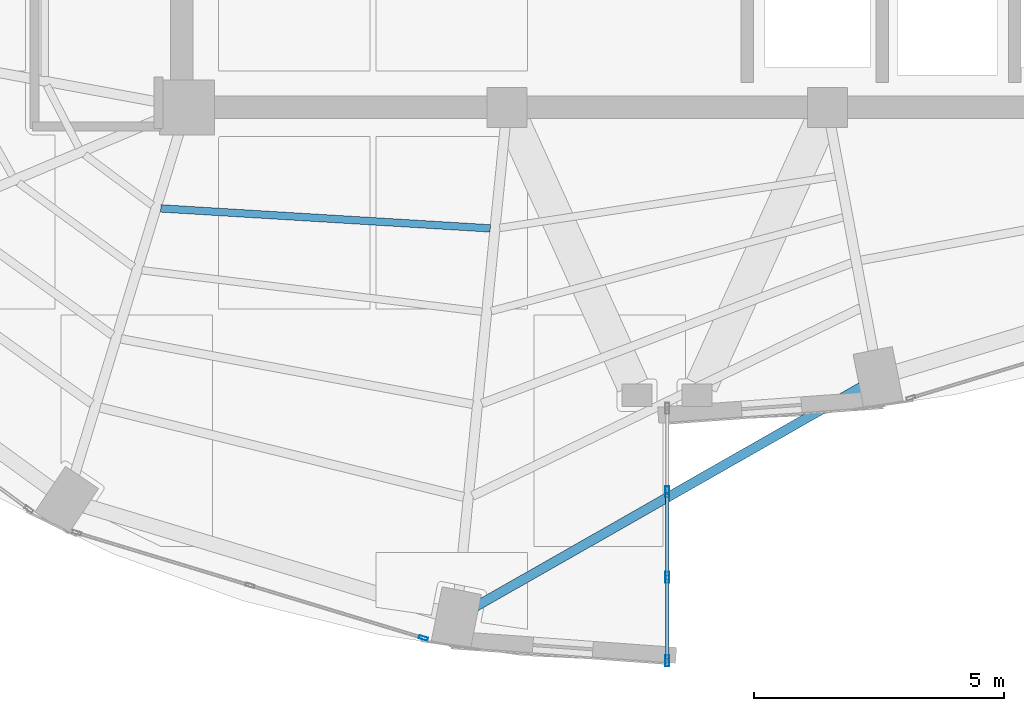
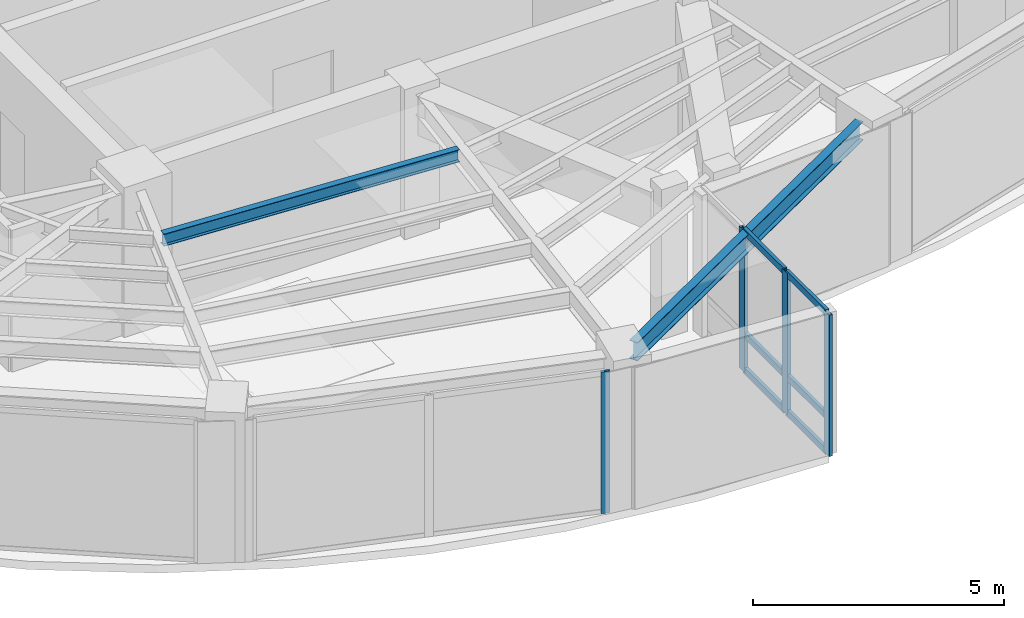
# One storey, part 5 of 22: 10 members, 2 beams, 2 elements without a shape of their own.
"""IFC4 building model written with IfcOpenShell, lengths in metres."""

from ifc_helpers import new_model, si_unit, direction, frame, origin, origin_2d, place, context, subcontext, project, spatial, hollow_rectangle, i_section, extrude, material, layer, layer_set, material_profile, profile_set, type_object, element, aggregate, save


model = new_model("IFC4")

# Units and contexts
model_context = context("Model", 3, precision=1e-05, world=origin(), true_north=direction((0.0, 1.0)))
body_context = subcontext(model_context, "Body", "Model", "MODEL_VIEW")
ifc_project = project(units=[si_unit("LENGTHUNIT", "METRE"), si_unit("AREAUNIT", "SQUARE_METRE"), si_unit("VOLUMEUNIT", "CUBIC_METRE"), si_unit("PLANEANGLEUNIT", "RADIAN"), si_unit("MASSUNIT", "GRAM", prefix="KILO")], contexts=[model_context])

# Site, building, storey
site_placement = place(None, origin())
site = spatial("IfcSite", under=ifc_project, at=site_placement, CompositionType="ELEMENT")
building_placement = place(site_placement, origin())
building = spatial("IfcBuilding", under=site, at=building_placement, Name="Lazwardi Medical Tower", CompositionType="ELEMENT")
storey_placement = place(building_placement, frame((0.0, 0.0, 251.3759765625)))
storey = spatial("IfcBuildingStorey", under=building, at=storey_placement, Name="L65", CompositionType="ELEMENT", Elevation=251.3759765625)

# Beams
ifc_material_1 = material(Name="Steel S355", Category="steel")
ifc_material_profile_1 = material_profile(ifc_material_1, i_section(OverallWidth=0.14990234375, OverallDepth=0.300048828125, WebThickness=0.007080078125, FlangeThickness=0.0107421875, at=origin_2d()), Name="IPE 300")
ifc_profile_set_1 = profile_set([ifc_material_profile_1], Name="Steel S355")
beam_type_1 = type_object("IfcBeamType", Name="BM-SJ-03", PredefinedType="JOIST", material=ifc_profile_set_1)
beam_1_placement = place(storey_placement, frame((25.879150390625, 18.3798828125, 3.298095703125), z_axis=(0.998165515862, -0.060544223044, 0.0), x_axis=(0.060544223044, 0.998165515862, 0.0)))
element("IfcBeam", 1, at=beam_1_placement, inside=storey, type_object=beam_type_1, Name="Secondary joist SJ-03 R4 B15 L65", PredefinedType="JOIST", context=body_context, shape_type="SweptSolid", body=[
    extrude(i_section(OverallWidth=0.14990234375, OverallDepth=0.300048828125, WebThickness=0.007080078125, FlangeThickness=0.0107421875, at=origin_2d()), origin(), (0.0, 0.0, 1.0), 6.59716796875),
])
ifc_material_profile_2 = material_profile(ifc_material_1, i_section(OverallWidth=0.18994140625, OverallDepth=0.449951171875, WebThickness=0.009521484375, FlangeThickness=0.0146484375, at=origin_2d()), Name="IPE 450")
ifc_profile_set_2 = profile_set([ifc_material_profile_2], Name="Steel S355")
beam_type_2 = type_object("IfcBeamType", Name="BM-SP-01", PredefinedType="SPANDREL", material=ifc_profile_set_2)
beam_2_placement = place(storey_placement, frame((32.125, 10.394775390625, 3.22314453125), z_axis=(0.868954808466, 0.494891443494, 0.0), x_axis=(-0.494891443494, 0.868954808466, 0.0)))
element("IfcBeam", 2, at=beam_2_placement, inside=storey, type_object=beam_type_2, Name="Spandrel beam SP-01 B16 L65", PredefinedType="SPANDREL", context=body_context, shape_type="SweptSolid", body=[
    extrude(i_section(OverallWidth=0.18994140625, OverallDepth=0.449951171875, WebThickness=0.009521484375, FlangeThickness=0.0146484375, at=origin_2d()), origin(), (0.0, 0.0, 1.0), 8.918701171875),
])

# Curtain wall, members
ifc_material_2 = material(Name="Anodised bronze aluminium and solar control glazing", Category="aluminium")
ifc_layer_1 = layer(ifc_material_2, 0.2099609375)
ifc_layer_set_1 = layer_set([ifc_layer_1], Name="Anodised bronze aluminium and solar control glazing")
curtain_wall_type_1 = type_object("IfcCurtainWallType", Name="CW-SYS-06", PredefinedType="NOTDEFINED", material=ifc_layer_set_1)
curtain_wall_1_placement = place(storey_placement, origin())
curtain_wall_1 = element("IfcCurtainWall", 3, at=curtain_wall_1_placement, inside=storey, type_object=curtain_wall_type_1, Name="L65 Unitised bronze curtain wall CW-06", PredefinedType="NOTDEFINED")
ifc_material_3 = material(Name="Anodised bronze aluminium", Category="aluminium")
ifc_material_profile_3 = material_profile(ifc_material_3, hollow_rectangle(XDim=0.074951171875, YDim=0.219970703125, WallThickness=0.00390625, at=origin_2d()), Name="ALU-MULLION 220x75x4")
ifc_profile_set_3 = profile_set([ifc_material_profile_3], Name="Anodised bronze aluminium")
member_type_1 = type_object("IfcMemberType", Name="CW-MUL-01", PredefinedType="MULLION", material=ifc_profile_set_3)
member_1_placement = place(storey_placement, frame((36.0, 9.33740234375, 0.0), z_axis=(0.0, 0.0, 1.0), x_axis=(-1.0, 0.0, 0.0)))
member_1 = element("IfcMember", 4, at=member_1_placement, type_object=member_type_1, Name="CW-06 mullion 1", PredefinedType="MULLION", context=body_context, shape_type="SweptSolid", body=[
    extrude(hollow_rectangle(XDim=0.074951171875, YDim=0.219970703125, WallThickness=0.00390625, at=origin_2d()), origin(), (0.0, 0.0, 1.0), 3.447998046875),
])
member_2_placement = place(storey_placement, frame((36.0, 11.006591796875, 0.0), z_axis=(0.0, 0.0, 1.0), x_axis=(-1.0, 0.0, 0.0)))
member_2 = element("IfcMember", 5, at=member_2_placement, type_object=member_type_1, Name="CW-06 mullion 2", PredefinedType="MULLION", context=body_context, shape_type="SweptSolid", body=[
    extrude(hollow_rectangle(XDim=0.074951171875, YDim=0.219970703125, WallThickness=0.00390625, at=origin_2d()), origin(), (0.0, 0.0, 1.0), 3.447998046875),
])
member_3_placement = place(storey_placement, frame((36.0, 12.71337890625, 0.0), z_axis=(0.0, 0.0, 1.0), x_axis=(-1.0, 0.0, 0.0)))
member_3 = element("IfcMember", 6, at=member_3_placement, type_object=member_type_1, Name="CW-06 mullion 3", PredefinedType="MULLION", context=body_context, shape_type="SweptSolid", body=[
    extrude(hollow_rectangle(XDim=0.074951171875, YDim=0.219970703125, WallThickness=0.00390625, at=origin_2d()), origin(), (0.0, 0.0, 1.0), 3.447998046875),
])

# Curtain wall, member
ifc_layer_2 = layer(ifc_material_2, 0.18994140625)
ifc_layer_set_2 = layer_set([ifc_layer_2], Name="Anodised bronze aluminium and solar control glazing")
curtain_wall_type_2 = type_object("IfcCurtainWallType", Name="CW-SYS-04", PredefinedType="NOTDEFINED", material=ifc_layer_set_2)
curtain_wall_2_placement = place(storey_placement, origin())
curtain_wall_2 = element("IfcCurtainWall", 7, at=curtain_wall_2_placement, inside=storey, type_object=curtain_wall_type_2, Name="L65 Unitised bronze curtain wall CW-04", PredefinedType="NOTDEFINED")
ifc_material_profile_4 = material_profile(ifc_material_3, hollow_rectangle(XDim=0.06494140625, YDim=0.179931640625, WallThickness=0.00390625, at=origin_2d()), Name="ALU-MULLION 180x65x4")
ifc_profile_set_4 = profile_set([ifc_material_profile_4], Name="Anodised bronze aluminium")
member_type_2 = type_object("IfcMemberType", Name="CW-MUL-03", PredefinedType="MULLION", material=ifc_profile_set_4)
member_4_placement = place(storey_placement, frame((31.126953125, 9.79296875, 0.0), z_axis=(0.0, 0.0, 1.0), x_axis=(0.290581889515, 0.956850126972, 0.0)))
member_4 = element("IfcMember", 8, at=member_4_placement, type_object=member_type_2, Name="CW-04 mullion 3", PredefinedType="MULLION", context=body_context, shape_type="SweptSolid", body=[
    extrude(hollow_rectangle(XDim=0.06494140625, YDim=0.179931640625, WallThickness=0.00390625, at=origin_2d()), origin(), (0.0, 0.0, 1.0), 3.447998046875),
])
aggregate(curtain_wall_2, [member_4])

# Member
ifc_material_profile_5 = material_profile(ifc_material_3, hollow_rectangle(XDim=0.074951171875, YDim=0.159912109375, WallThickness=0.00390625, at=origin_2d()), Name="ALU-TRANSOM 160x75x4")
ifc_profile_set_5 = profile_set([ifc_material_profile_5], Name="Anodised bronze aluminium")
member_type_3 = type_object("IfcMemberType", Name="CW-TRN-01", PredefinedType="USERDEFINED", material=ifc_profile_set_5)
member_5_placement = place(storey_placement, frame((36.0, 9.375, 0.03759765625), z_axis=(0.0, 1.0, 0.0), x_axis=(-1.0, 0.0, 0.0)))
member_5 = element("IfcMember", 9, at=member_5_placement, type_object=member_type_3, Name="CW-06 transom 1.1", ObjectType="TRANSOM", PredefinedType="USERDEFINED", context=body_context, shape_type="SweptSolid", body=[
    extrude(hollow_rectangle(XDim=0.074951171875, YDim=0.159912109375, WallThickness=0.00390625, at=origin_2d()), origin(), (0.0, 0.0, 1.0), 1.59423828125),
])

member_6_placement = place(storey_placement, frame((36.0, 9.375, 0.89990234375), z_axis=(0.0, 1.0, 0.0), x_axis=(-1.0, 0.0, 0.0)))
member_6 = element("IfcMember", 10, at=member_6_placement, type_object=member_type_3, Name="CW-06 transom 1.2", ObjectType="TRANSOM", PredefinedType="USERDEFINED", context=body_context, shape_type="SweptSolid", body=[
    extrude(hollow_rectangle(XDim=0.074951171875, YDim=0.159912109375, WallThickness=0.00390625, at=origin_2d()), origin(), (0.0, 0.0, 1.0), 1.59423828125),
])

member_7_placement = place(storey_placement, frame((36.0, 9.375, 3.41064453125), z_axis=(0.0, 1.0, 0.0), x_axis=(-1.0, 0.0, 0.0)))
member_7 = element("IfcMember", 11, at=member_7_placement, type_object=member_type_3, Name="CW-06 transom 1.3", ObjectType="TRANSOM", PredefinedType="USERDEFINED", context=body_context, shape_type="SweptSolid", body=[
    extrude(hollow_rectangle(XDim=0.074951171875, YDim=0.159912109375, WallThickness=0.00390625, at=origin_2d()), origin(), (0.0, 0.0, 1.0), 1.59423828125),
])

member_8_placement = place(storey_placement, frame((36.0, 11.044189453125, 0.03759765625), z_axis=(0.0, 1.0, 0.0), x_axis=(-1.0, 0.0, 0.0)))
member_8 = element("IfcMember", 12, at=member_8_placement, type_object=member_type_3, Name="CW-06 transom 2.1", ObjectType="TRANSOM", PredefinedType="USERDEFINED", context=body_context, shape_type="SweptSolid", body=[
    extrude(hollow_rectangle(XDim=0.074951171875, YDim=0.159912109375, WallThickness=0.00390625, at=origin_2d()), origin(), (0.0, 0.0, 1.0), 1.631591796875),
])

member_9_placement = place(storey_placement, frame((36.0, 11.044189453125, 0.89990234375), z_axis=(0.0, 1.0, 0.0), x_axis=(-1.0, 0.0, 0.0)))
member_9 = element("IfcMember", 13, at=member_9_placement, type_object=member_type_3, Name="CW-06 transom 2.2", ObjectType="TRANSOM", PredefinedType="USERDEFINED", context=body_context, shape_type="SweptSolid", body=[
    extrude(hollow_rectangle(XDim=0.074951171875, YDim=0.159912109375, WallThickness=0.00390625, at=origin_2d()), origin(), (0.0, 0.0, 1.0), 1.631591796875),
])

member_10_placement = place(storey_placement, frame((36.0, 11.044189453125, 3.41064453125), z_axis=(0.0, 1.0, 0.0), x_axis=(-1.0, 0.0, 0.0)))
member_10 = element("IfcMember", 14, at=member_10_placement, type_object=member_type_3, Name="CW-06 transom 2.3", ObjectType="TRANSOM", PredefinedType="USERDEFINED", context=body_context, shape_type="SweptSolid", body=[
    extrude(hollow_rectangle(XDim=0.074951171875, YDim=0.159912109375, WallThickness=0.00390625, at=origin_2d()), origin(), (0.0, 0.0, 1.0), 1.631591796875),
])

aggregate(curtain_wall_1, [member_1, member_2, member_3, member_5, member_6, member_7, member_8, member_9, member_10])

save(model, "model.ifc")
